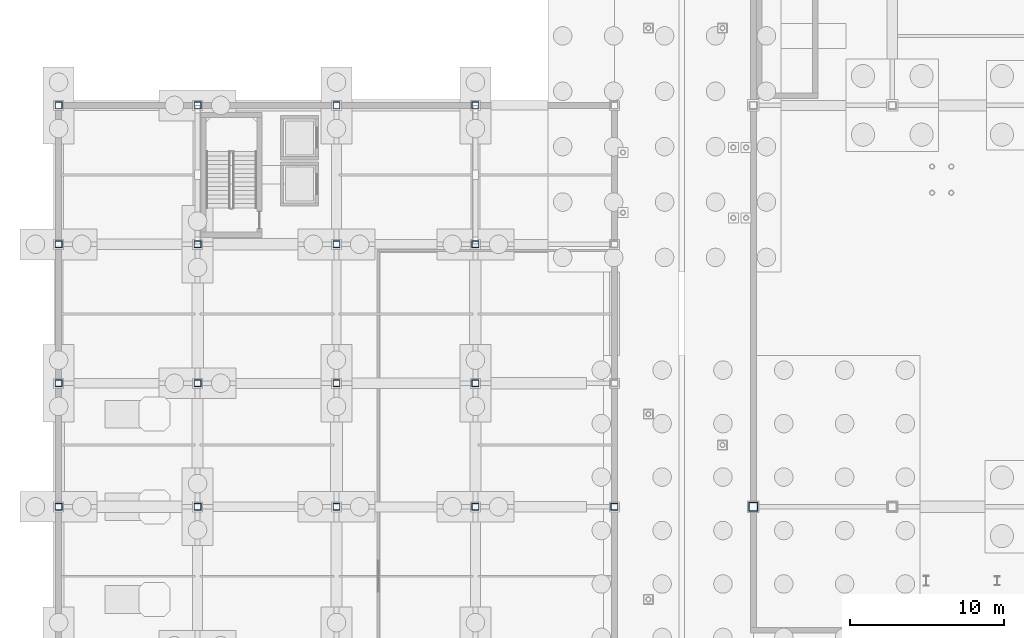
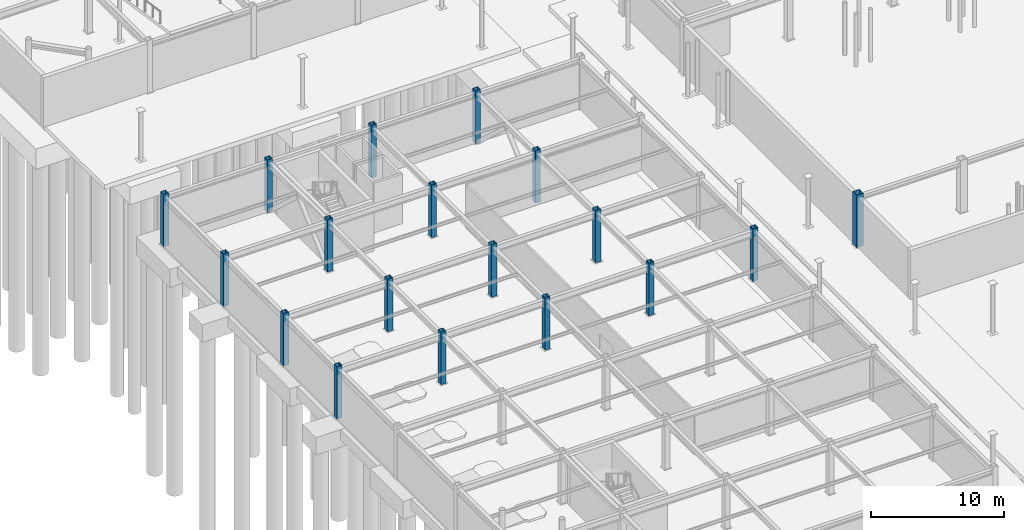
# One storey, part 14 of 74: 18 columns.
"""IFC4 building model written with IfcOpenShell, lengths in metres."""

from ifc_helpers import new_model, si_unit, direction, frame, origin, origin_2d, place, context, subcontext, project, spatial, hollow_rectangle, extrude, material, material_profile, profile_set, type_object, element, save


model = new_model("IFC4")

# Units and contexts
model_context = context("Model", 3, precision=1e-05, world=origin(), true_north=direction((0.0, 1.0)))
body_context = subcontext(model_context, "Body", "Model", "MODEL_VIEW")
ifc_project = project(units=[si_unit("LENGTHUNIT", "METRE"), si_unit("AREAUNIT", "SQUARE_METRE"), si_unit("VOLUMEUNIT", "CUBIC_METRE"), si_unit("PLANEANGLEUNIT", "RADIAN"), si_unit("MASSUNIT", "GRAM", prefix="KILO")], contexts=[model_context])

# Site, building, storey
site_placement = place(None, origin())
site = spatial("IfcSite", under=ifc_project, at=site_placement, CompositionType="ELEMENT")
building_placement = place(site_placement, origin())
building = spatial("IfcBuilding", under=site, at=building_placement, Name="Suzunagisa Mobility Hub", CompositionType="ELEMENT")
storey_placement = place(building_placement, frame((0.0, 0.0, -4.800048828125)))
storey = spatial("IfcBuildingStorey", under=building, at=storey_placement, Name="B1", CompositionType="ELEMENT", Elevation=-4.800048828125)

# Columns
ifc_material = material(Name="Steel SN490B", Category="steel")
ifc_material_profile_1 = material_profile(ifc_material, hollow_rectangle(XDim=0.60009765625, YDim=0.60009765625, WallThickness=0.031982421875, at=origin_2d()), Name="BOX-600x600x32")
ifc_profile_set_1 = profile_set([ifc_material_profile_1], Name="Steel SN490B")
column_type_1 = type_object("IfcColumnType", Name="Steel Column CL-05 BOX-600x600x32", PredefinedType="COLUMN", material=ifc_profile_set_1)
column_placement = place(storey_placement, frame((45.0, 36.0, 0.0), z_axis=(0.0, 0.0, 1.0), x_axis=(1.0, 0.0, 0.0)))
element("IfcColumn", 1, at=column_placement, inside=storey, type_object=column_type_1, Name="B1 Column 115", PredefinedType="COLUMN", context=body_context, shape_type="SweptSolid", body=[
    extrude(hollow_rectangle(XDim=0.60009765625, YDim=0.60009765625, WallThickness=0.031982421875, at=origin_2d()), origin(), (0.0, 0.0, 1.0), 4.800048828125),
])
ifc_material_profile_2 = material_profile(ifc_material, hollow_rectangle(XDim=0.449951171875, YDim=0.449951171875, WallThickness=0.02197265625, at=origin_2d()), Name="BCR-450x450x22")
ifc_profile_set_2 = profile_set([ifc_material_profile_2], Name="Steel SN490B")
column_type_2 = type_object("IfcColumnType", Name="Steel Column CL-17 BCR-450x450x22", PredefinedType="COLUMN", material=ifc_profile_set_2)
for number, where, z_axis, x_axis, name in (
    (2, (0.0, 36.0, 0.0), (0.0, 0.0, 1.0), (1.0, 0.0, 0.0), "B1 Column 4"),
    (3, (0.0, 44.0, 0.0), (0.0, 0.0, 1.0), (1.0, 0.0, 0.0), "B1 Column 5"),
    (4, (0.0, 53.0, 0.0), (0.0, 0.0, 1.0), (1.0, 0.0, 0.0), "B1 Column 6"),
    (5, (0.0, 62.0, 0.0), (0.0, 0.0, 1.0), (1.0, 0.0, 0.0), "B1 Column 7"),
    (6, (9.0, 36.0, 0.0), (0.0, 0.0, 1.0), (1.0, 0.0, 0.0), "B1 Column 24"),
    (7, (9.0, 44.0, 0.0), (0.0, 0.0, 1.0), (1.0, 0.0, 0.0), "B1 Column 25"),
    (8, (9.0, 53.0, 0.0), (0.0, 0.0, 1.0), (1.0, 0.0, 0.0), "B1 Column 26"),
    (9, (9.0, 62.0, 0.0), (0.0, 0.0, 1.0), (1.0, 0.0, 0.0), "B1 Column 27"),
    (10, (18.0, 36.0, 0.0), (0.0, 0.0, 1.0), (1.0, 0.0, 0.0), "B1 Column 45"),
    (11, (18.0, 44.0, 0.0), (0.0, 0.0, 1.0), (1.0, 0.0, 0.0), "B1 Column 46"),
    (12, (18.0, 53.0, 0.0), (0.0, 0.0, 1.0), (1.0, 0.0, 0.0), "B1 Column 47"),
    (13, (18.0, 62.0, 0.0), (0.0, 0.0, 1.0), (1.0, 0.0, 0.0), "B1 Column 48"),
    (14, (27.0, 36.0, 0.0), (0.0, 0.0, 1.0), (1.0, 0.0, 0.0), "B1 Column 66"),
    (15, (27.0, 44.0, 0.0), (0.0, 0.0, 1.0), (1.0, 0.0, 0.0), "B1 Column 67"),
    (16, (27.0, 53.0, 0.0), (0.0, 0.0, 1.0), (1.0, 0.0, 0.0), "B1 Column 68"),
    (17, (27.0, 62.0, 0.0), (0.0, 0.0, 1.0), (1.0, 0.0, 0.0), "B1 Column 69"),
    (18, (36.0, 36.0, 0.0), (0.0, 0.0, 1.0), (1.0, 0.0, 0.0), "B1 Column 81"),
):
    element("IfcColumn", number, at=place(storey_placement, frame(where, z_axis=z_axis, x_axis=x_axis)), inside=storey, type_object=column_type_2, Name=name, PredefinedType="COLUMN", context=body_context, shape_type="SweptSolid", body=[
        extrude(hollow_rectangle(XDim=0.449951171875, YDim=0.449951171875, WallThickness=0.02197265625, at=origin_2d()), origin(), (0.0, 0.0, 1.0), 4.800048828125),
    ])

save(model, "model.ifc")
